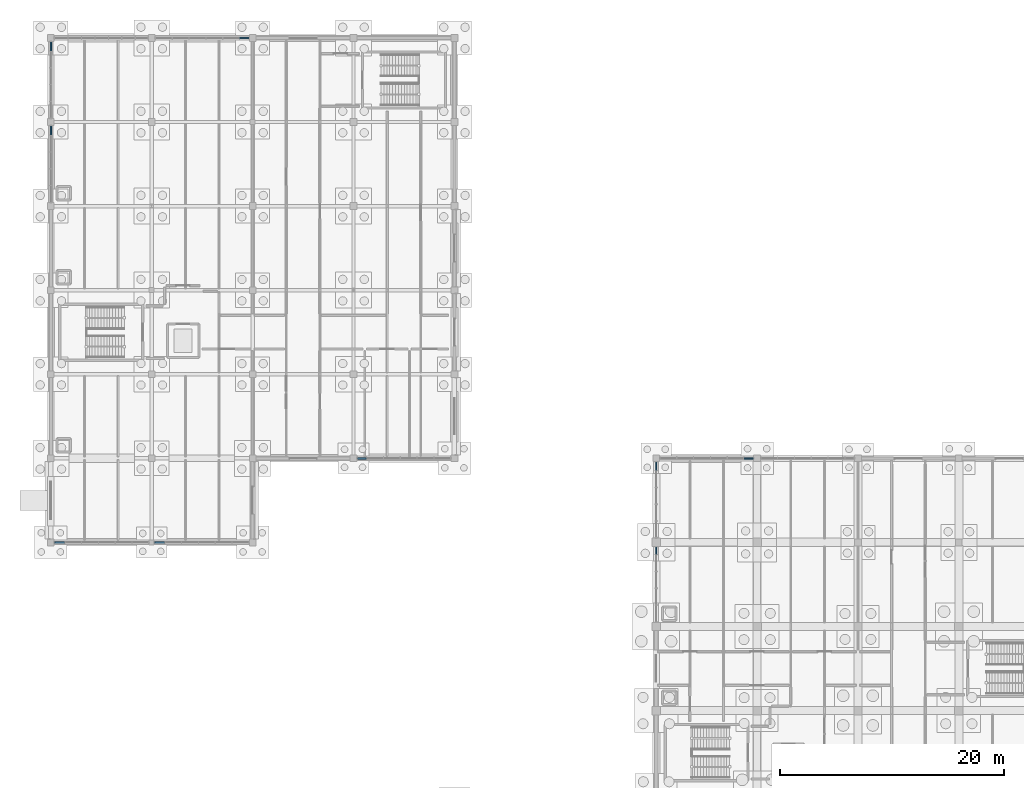
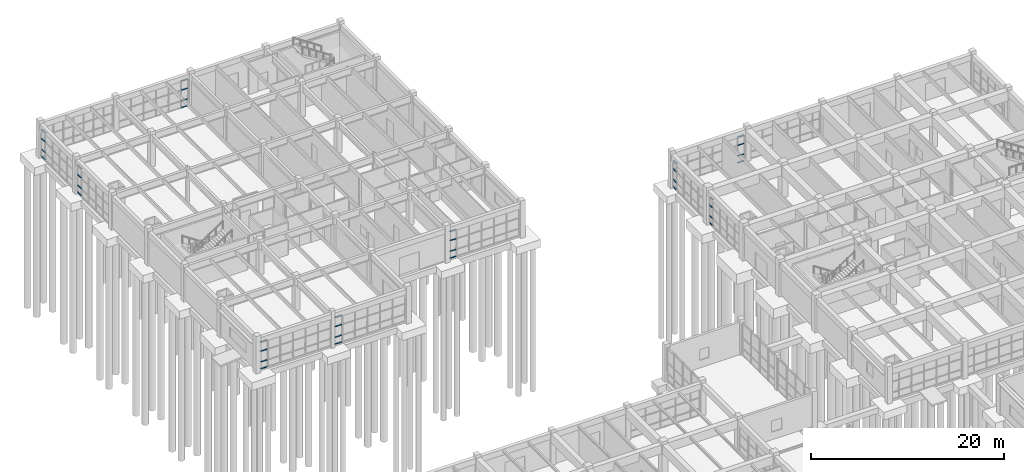
# One storey, part 41 of 93: 36 members, 9 elements without a shape of their own.
"""IFC4 building model written with IfcOpenShell, lengths in metres."""

from ifc_helpers import new_model, si_unit, direction, frame, origin, origin_2d, place, context, subcontext, project, spatial, rectangle, extrude, material, layer, layer_set, material_profile, profile_set, type_object, element, aggregate, save


model = new_model("IFC4")

# Units and contexts
model_context = context("Model", 3, precision=1e-05, world=origin(), true_north=direction((0.0, 1.0)))
body_context = subcontext(model_context, "Body", "Model", "MODEL_VIEW")
ifc_project = project(units=[si_unit("LENGTHUNIT", "METRE"), si_unit("AREAUNIT", "SQUARE_METRE"), si_unit("VOLUMEUNIT", "CUBIC_METRE"), si_unit("PLANEANGLEUNIT", "RADIAN"), si_unit("MASSUNIT", "GRAM", prefix="KILO")], contexts=[model_context])

# Site, building, storey
site_placement = place(None, origin())
site = spatial("IfcSite", under=ifc_project, at=site_placement, CompositionType="ELEMENT")
building_placement = place(site_placement, origin())
building = spatial("IfcBuilding", under=site, at=building_placement, Name="Marnridge Secondary College", CompositionType="ELEMENT")
storey_placement = place(building_placement, origin())
storey = spatial("IfcBuildingStorey", under=building, at=storey_placement, Name="L00", CompositionType="ELEMENT", Elevation=0.0)

# Curtain wall, members
ifc_material_1 = material(Name="Thermally broken aluminium and low-E glazing", Category="aluminium")
ifc_layer = layer(ifc_material_1, 0.159912109375)
ifc_layer_set = layer_set([ifc_layer], Name="CW-MOD-1500")
curtain_wall_type = type_object("IfcCurtainWallType", Name="CW-MOD-1500", PredefinedType="NOTDEFINED", material=ifc_layer_set)
curtain_wall_1_placement = place(storey_placement, origin())
curtain_wall_1 = element("IfcCurtainWall", 1, at=curtain_wall_1_placement, inside=storey, type_object=curtain_wall_type, Name="Unitised curtain wall CW-L00-001", PredefinedType="NOTDEFINED")
ifc_material_2 = material(Name="Anodised aluminium 6063-T6", Category="aluminium")
ifc_material_profile = material_profile(ifc_material_2, rectangle(XDim=0.06005859375, YDim=0.1201171875, at=origin_2d()), Name="ALU 60x120")
ifc_profile_set = profile_set([ifc_material_profile], Name="Anodised aluminium 6063-T6")
member_type = type_object("IfcMemberType", Name="CWT-ALU120", PredefinedType="USERDEFINED", material=ifc_profile_set)
member_1_placement = place(storey_placement, frame((61.864013671875, 82.5, 0.030029296875), z_axis=(1.0, 0.0, 0.0), x_axis=(0.0, 0.0, 1.0)))
member_1 = element("IfcMember", 2, at=member_1_placement, type_object=member_type, Name="CW-L00-001 transom 6.1", ObjectType="TRANSOM", PredefinedType="USERDEFINED", context=body_context, shape_type="SweptSolid", body=[
    extrude(rectangle(XDim=0.06005859375, YDim=0.1201171875, at=origin_2d()), origin(), (0.0, 0.0, 1.0), 0.77197265625),
])
member_2_placement = place(storey_placement, frame((61.864013671875, 82.5, 0.89990234375), z_axis=(1.0, 0.0, 0.0), x_axis=(0.0, 0.0, 1.0)))
member_2 = element("IfcMember", 3, at=member_2_placement, type_object=member_type, Name="CW-L00-001 transom 6.2", ObjectType="TRANSOM", PredefinedType="USERDEFINED", context=body_context, shape_type="SweptSolid", body=[
    extrude(rectangle(XDim=0.06005859375, YDim=0.1201171875, at=origin_2d()), origin(), (0.0, 0.0, 1.0), 0.77197265625),
])
member_3_placement = place(storey_placement, frame((61.864013671875, 82.5, 2.25), z_axis=(1.0, 0.0, 0.0), x_axis=(0.0, 0.0, 1.0)))
member_3 = element("IfcMember", 4, at=member_3_placement, type_object=member_type, Name="CW-L00-001 transom 6.3", ObjectType="TRANSOM", PredefinedType="USERDEFINED", context=body_context, shape_type="SweptSolid", body=[
    extrude(rectangle(XDim=0.06005859375, YDim=0.1201171875, at=origin_2d()), origin(), (0.0, 0.0, 1.0), 0.77197265625),
])
member_4_placement = place(storey_placement, frame((61.864013671875, 82.5, 3.2919921875), z_axis=(1.0, 0.0, 0.0), x_axis=(0.0, 0.0, 1.0)))
member_4 = element("IfcMember", 5, at=member_4_placement, type_object=member_type, Name="CW-L00-001 transom 6.4", ObjectType="TRANSOM", PredefinedType="USERDEFINED", context=body_context, shape_type="SweptSolid", body=[
    extrude(rectangle(XDim=0.06005859375, YDim=0.1201171875, at=origin_2d()), origin(), (0.0, 0.0, 1.0), 0.77197265625),
])
aggregate(curtain_wall_1, [member_1, member_2, member_3, member_4])

curtain_wall_2_placement = place(storey_placement, origin())
curtain_wall_2 = element("IfcCurtainWall", 6, at=curtain_wall_2_placement, inside=storey, type_object=curtain_wall_type, Name="Unitised curtain wall CW-L00-007", PredefinedType="NOTDEFINED")
member_5_placement = place(storey_placement, frame((54.0, 73.93896484375, 0.030029296875), z_axis=(0.0, 1.0, 0.0), x_axis=(0.0, 0.0, 1.0)))
member_5 = element("IfcMember", 7, at=member_5_placement, type_object=member_type, Name="CW-L00-007 transom 5.1", ObjectType="TRANSOM", PredefinedType="USERDEFINED", context=body_context, shape_type="SweptSolid", body=[
    extrude(rectangle(XDim=0.06005859375, YDim=0.1201171875, at=origin_2d()), origin(), (0.0, 0.0, 1.0), 0.6220703125),
])
member_6_placement = place(storey_placement, frame((54.0, 73.93896484375, 0.89990234375), z_axis=(0.0, 1.0, 0.0), x_axis=(0.0, 0.0, 1.0)))
member_6 = element("IfcMember", 8, at=member_6_placement, type_object=member_type, Name="CW-L00-007 transom 5.2", ObjectType="TRANSOM", PredefinedType="USERDEFINED", context=body_context, shape_type="SweptSolid", body=[
    extrude(rectangle(XDim=0.06005859375, YDim=0.1201171875, at=origin_2d()), origin(), (0.0, 0.0, 1.0), 0.6220703125),
])
member_7_placement = place(storey_placement, frame((54.0, 73.93896484375, 2.25), z_axis=(0.0, 1.0, 0.0), x_axis=(0.0, 0.0, 1.0)))
member_7 = element("IfcMember", 9, at=member_7_placement, type_object=member_type, Name="CW-L00-007 transom 5.3", ObjectType="TRANSOM", PredefinedType="USERDEFINED", context=body_context, shape_type="SweptSolid", body=[
    extrude(rectangle(XDim=0.06005859375, YDim=0.1201171875, at=origin_2d()), origin(), (0.0, 0.0, 1.0), 0.6220703125),
])
member_8_placement = place(storey_placement, frame((54.0, 73.93896484375, 3.2919921875), z_axis=(0.0, 1.0, 0.0), x_axis=(0.0, 0.0, 1.0)))
member_8 = element("IfcMember", 10, at=member_8_placement, type_object=member_type, Name="CW-L00-007 transom 5.4", ObjectType="TRANSOM", PredefinedType="USERDEFINED", context=body_context, shape_type="SweptSolid", body=[
    extrude(rectangle(XDim=0.06005859375, YDim=0.1201171875, at=origin_2d()), origin(), (0.0, 0.0, 1.0), 0.6220703125),
])
aggregate(curtain_wall_2, [member_5, member_6, member_7, member_8])

curtain_wall_3_placement = place(storey_placement, origin())
curtain_wall_3 = element("IfcCurtainWall", 11, at=curtain_wall_3_placement, inside=storey, type_object=curtain_wall_type, Name="Unitised curtain wall CW-L00-008", PredefinedType="NOTDEFINED")
member_9_placement = place(storey_placement, frame((54.0, 81.43896484375, 0.030029296875), z_axis=(0.0, 1.0, 0.0), x_axis=(0.0, 0.0, 1.0)))
member_9 = element("IfcMember", 12, at=member_9_placement, type_object=member_type, Name="CW-L00-008 transom 5.1", ObjectType="TRANSOM", PredefinedType="USERDEFINED", context=body_context, shape_type="SweptSolid", body=[
    extrude(rectangle(XDim=0.06005859375, YDim=0.1201171875, at=origin_2d()), origin(), (0.0, 0.0, 1.0), 0.697021484375),
])
member_10_placement = place(storey_placement, frame((54.0, 81.43896484375, 0.89990234375), z_axis=(0.0, 1.0, 0.0), x_axis=(0.0, 0.0, 1.0)))
member_10 = element("IfcMember", 13, at=member_10_placement, type_object=member_type, Name="CW-L00-008 transom 5.2", ObjectType="TRANSOM", PredefinedType="USERDEFINED", context=body_context, shape_type="SweptSolid", body=[
    extrude(rectangle(XDim=0.06005859375, YDim=0.1201171875, at=origin_2d()), origin(), (0.0, 0.0, 1.0), 0.697021484375),
])
member_11_placement = place(storey_placement, frame((54.0, 81.43896484375, 2.25), z_axis=(0.0, 1.0, 0.0), x_axis=(0.0, 0.0, 1.0)))
member_11 = element("IfcMember", 14, at=member_11_placement, type_object=member_type, Name="CW-L00-008 transom 5.3", ObjectType="TRANSOM", PredefinedType="USERDEFINED", context=body_context, shape_type="SweptSolid", body=[
    extrude(rectangle(XDim=0.06005859375, YDim=0.1201171875, at=origin_2d()), origin(), (0.0, 0.0, 1.0), 0.697021484375),
])
member_12_placement = place(storey_placement, frame((54.0, 81.43896484375, 3.2919921875), z_axis=(0.0, 1.0, 0.0), x_axis=(0.0, 0.0, 1.0)))
member_12 = element("IfcMember", 15, at=member_12_placement, type_object=member_type, Name="CW-L00-008 transom 5.4", ObjectType="TRANSOM", PredefinedType="USERDEFINED", context=body_context, shape_type="SweptSolid", body=[
    extrude(rectangle(XDim=0.06005859375, YDim=0.1201171875, at=origin_2d()), origin(), (0.0, 0.0, 1.0), 0.697021484375),
])
aggregate(curtain_wall_3, [member_9, member_10, member_11, member_12])

curtain_wall_4_placement = place(storey_placement, origin())
curtain_wall_4 = element("IfcCurtainWall", 16, at=curtain_wall_4_placement, inside=storey, type_object=curtain_wall_type, Name="Unitised curtain wall CW-L00-013", PredefinedType="NOTDEFINED")
member_13_placement = place(storey_placement, frame((16.864013671875, 120.0, 0.030029296875), z_axis=(1.0, 0.0, 0.0), x_axis=(0.0, 0.0, 1.0)))
member_13 = element("IfcMember", 17, at=member_13_placement, type_object=member_type, Name="CW-L00-013 transom 6.1", ObjectType="TRANSOM", PredefinedType="USERDEFINED", context=body_context, shape_type="SweptSolid", body=[
    extrude(rectangle(XDim=0.06005859375, YDim=0.1201171875, at=origin_2d()), origin(), (0.0, 0.0, 1.0), 0.77197265625),
])
member_14_placement = place(storey_placement, frame((16.864013671875, 120.0, 0.89990234375), z_axis=(1.0, 0.0, 0.0), x_axis=(0.0, 0.0, 1.0)))
member_14 = element("IfcMember", 18, at=member_14_placement, type_object=member_type, Name="CW-L00-013 transom 6.2", ObjectType="TRANSOM", PredefinedType="USERDEFINED", context=body_context, shape_type="SweptSolid", body=[
    extrude(rectangle(XDim=0.06005859375, YDim=0.1201171875, at=origin_2d()), origin(), (0.0, 0.0, 1.0), 0.77197265625),
])
member_15_placement = place(storey_placement, frame((16.864013671875, 120.0, 2.25), z_axis=(1.0, 0.0, 0.0), x_axis=(0.0, 0.0, 1.0)))
member_15 = element("IfcMember", 19, at=member_15_placement, type_object=member_type, Name="CW-L00-013 transom 6.3", ObjectType="TRANSOM", PredefinedType="USERDEFINED", context=body_context, shape_type="SweptSolid", body=[
    extrude(rectangle(XDim=0.06005859375, YDim=0.1201171875, at=origin_2d()), origin(), (0.0, 0.0, 1.0), 0.77197265625),
])
member_16_placement = place(storey_placement, frame((16.864013671875, 120.0, 3.412109375), z_axis=(1.0, 0.0, 0.0), x_axis=(0.0, 0.0, 1.0)))
member_16 = element("IfcMember", 20, at=member_16_placement, type_object=member_type, Name="CW-L00-013 transom 6.4", ObjectType="TRANSOM", PredefinedType="USERDEFINED", context=body_context, shape_type="SweptSolid", body=[
    extrude(rectangle(XDim=0.06005859375, YDim=0.1201171875, at=origin_2d()), origin(), (0.0, 0.0, 1.0), 0.77197265625),
])
aggregate(curtain_wall_4, [member_13, member_14, member_15, member_16])

curtain_wall_5_placement = place(storey_placement, origin())
curtain_wall_5 = element("IfcCurtainWall", 21, at=curtain_wall_5_placement, inside=storey, type_object=curtain_wall_type, Name="Unitised curtain wall CW-L00-014", PredefinedType="NOTDEFINED")
member_17_placement = place(storey_placement, frame((28.135986328125, 82.5, 0.030029296875), z_axis=(-1.0, 0.0, 0.0), x_axis=(0.0, 0.0, 1.0)))
member_17 = element("IfcMember", 22, at=member_17_placement, type_object=member_type, Name="CW-L00-014 transom 6.1", ObjectType="TRANSOM", PredefinedType="USERDEFINED", context=body_context, shape_type="SweptSolid", body=[
    extrude(rectangle(XDim=0.06005859375, YDim=0.1201171875, at=origin_2d()), origin(), (0.0, 0.0, 1.0), 0.77197265625),
])
member_18_placement = place(storey_placement, frame((28.135986328125, 82.5, 0.89990234375), z_axis=(-1.0, 0.0, 0.0), x_axis=(0.0, 0.0, 1.0)))
member_18 = element("IfcMember", 23, at=member_18_placement, type_object=member_type, Name="CW-L00-014 transom 6.2", ObjectType="TRANSOM", PredefinedType="USERDEFINED", context=body_context, shape_type="SweptSolid", body=[
    extrude(rectangle(XDim=0.06005859375, YDim=0.1201171875, at=origin_2d()), origin(), (0.0, 0.0, 1.0), 0.77197265625),
])
member_19_placement = place(storey_placement, frame((28.135986328125, 82.5, 2.25), z_axis=(-1.0, 0.0, 0.0), x_axis=(0.0, 0.0, 1.0)))
member_19 = element("IfcMember", 24, at=member_19_placement, type_object=member_type, Name="CW-L00-014 transom 6.3", ObjectType="TRANSOM", PredefinedType="USERDEFINED", context=body_context, shape_type="SweptSolid", body=[
    extrude(rectangle(XDim=0.06005859375, YDim=0.1201171875, at=origin_2d()), origin(), (0.0, 0.0, 1.0), 0.77197265625),
])
member_20_placement = place(storey_placement, frame((28.135986328125, 82.5, 3.412109375), z_axis=(-1.0, 0.0, 0.0), x_axis=(0.0, 0.0, 1.0)))
member_20 = element("IfcMember", 25, at=member_20_placement, type_object=member_type, Name="CW-L00-014 transom 6.4", ObjectType="TRANSOM", PredefinedType="USERDEFINED", context=body_context, shape_type="SweptSolid", body=[
    extrude(rectangle(XDim=0.06005859375, YDim=0.1201171875, at=origin_2d()), origin(), (0.0, 0.0, 1.0), 0.77197265625),
])
aggregate(curtain_wall_5, [member_17, member_18, member_19, member_20])

curtain_wall_6_placement = place(storey_placement, origin())
curtain_wall_6 = element("IfcCurtainWall", 26, at=curtain_wall_6_placement, inside=storey, type_object=curtain_wall_type, Name="Unitised curtain wall CW-L00-015", PredefinedType="NOTDEFINED")
member_21_placement = place(storey_placement, frame((10.135986328125, 75.0, 0.030029296875), z_axis=(-1.0, 0.0, 0.0), x_axis=(0.0, 0.0, 1.0)))
member_21 = element("IfcMember", 27, at=member_21_placement, type_object=member_type, Name="CW-L00-015 transom 6.1", ObjectType="TRANSOM", PredefinedType="USERDEFINED", context=body_context, shape_type="SweptSolid", body=[
    extrude(rectangle(XDim=0.06005859375, YDim=0.1201171875, at=origin_2d()), origin(), (0.0, 0.0, 1.0), 0.846923828125),
])
member_22_placement = place(storey_placement, frame((10.135986328125, 75.0, 0.89990234375), z_axis=(-1.0, 0.0, 0.0), x_axis=(0.0, 0.0, 1.0)))
member_22 = element("IfcMember", 28, at=member_22_placement, type_object=member_type, Name="CW-L00-015 transom 6.2", ObjectType="TRANSOM", PredefinedType="USERDEFINED", context=body_context, shape_type="SweptSolid", body=[
    extrude(rectangle(XDim=0.06005859375, YDim=0.1201171875, at=origin_2d()), origin(), (0.0, 0.0, 1.0), 0.846923828125),
])
member_23_placement = place(storey_placement, frame((10.135986328125, 75.0, 2.25), z_axis=(-1.0, 0.0, 0.0), x_axis=(0.0, 0.0, 1.0)))
member_23 = element("IfcMember", 29, at=member_23_placement, type_object=member_type, Name="CW-L00-015 transom 6.3", ObjectType="TRANSOM", PredefinedType="USERDEFINED", context=body_context, shape_type="SweptSolid", body=[
    extrude(rectangle(XDim=0.06005859375, YDim=0.1201171875, at=origin_2d()), origin(), (0.0, 0.0, 1.0), 0.846923828125),
])
member_24_placement = place(storey_placement, frame((10.135986328125, 75.0, 3.412109375), z_axis=(-1.0, 0.0, 0.0), x_axis=(0.0, 0.0, 1.0)))
member_24 = element("IfcMember", 30, at=member_24_placement, type_object=member_type, Name="CW-L00-015 transom 6.4", ObjectType="TRANSOM", PredefinedType="USERDEFINED", context=body_context, shape_type="SweptSolid", body=[
    extrude(rectangle(XDim=0.06005859375, YDim=0.1201171875, at=origin_2d()), origin(), (0.0, 0.0, 1.0), 0.846923828125),
])
aggregate(curtain_wall_6, [member_21, member_22, member_23, member_24])

curtain_wall_7_placement = place(storey_placement, origin())
curtain_wall_7 = element("IfcCurtainWall", 31, at=curtain_wall_7_placement, inside=storey, type_object=curtain_wall_type, Name="Unitised curtain wall CW-L00-016", PredefinedType="NOTDEFINED")
member_25_placement = place(storey_placement, frame((1.2109375, 75.0, 0.030029296875), z_axis=(-1.0, 0.0, 0.0), x_axis=(0.0, 0.0, 1.0)))
member_25 = element("IfcMember", 32, at=member_25_placement, type_object=member_type, Name="CW-L00-016 transom 6.1", ObjectType="TRANSOM", PredefinedType="USERDEFINED", context=body_context, shape_type="SweptSolid", body=[
    extrude(rectangle(XDim=0.06005859375, YDim=0.1201171875, at=origin_2d()), origin(), (0.0, 0.0, 1.0), 0.846923828125),
])
member_26_placement = place(storey_placement, frame((1.2109375, 75.0, 0.89990234375), z_axis=(-1.0, 0.0, 0.0), x_axis=(0.0, 0.0, 1.0)))
member_26 = element("IfcMember", 33, at=member_26_placement, type_object=member_type, Name="CW-L00-016 transom 6.2", ObjectType="TRANSOM", PredefinedType="USERDEFINED", context=body_context, shape_type="SweptSolid", body=[
    extrude(rectangle(XDim=0.06005859375, YDim=0.1201171875, at=origin_2d()), origin(), (0.0, 0.0, 1.0), 0.846923828125),
])
member_27_placement = place(storey_placement, frame((1.2109375, 75.0, 2.25), z_axis=(-1.0, 0.0, 0.0), x_axis=(0.0, 0.0, 1.0)))
member_27 = element("IfcMember", 34, at=member_27_placement, type_object=member_type, Name="CW-L00-016 transom 6.3", ObjectType="TRANSOM", PredefinedType="USERDEFINED", context=body_context, shape_type="SweptSolid", body=[
    extrude(rectangle(XDim=0.06005859375, YDim=0.1201171875, at=origin_2d()), origin(), (0.0, 0.0, 1.0), 0.846923828125),
])
member_28_placement = place(storey_placement, frame((1.2109375, 75.0, 3.412109375), z_axis=(-1.0, 0.0, 0.0), x_axis=(0.0, 0.0, 1.0)))
member_28 = element("IfcMember", 35, at=member_28_placement, type_object=member_type, Name="CW-L00-016 transom 6.4", ObjectType="TRANSOM", PredefinedType="USERDEFINED", context=body_context, shape_type="SweptSolid", body=[
    extrude(rectangle(XDim=0.06005859375, YDim=0.1201171875, at=origin_2d()), origin(), (0.0, 0.0, 1.0), 0.846923828125),
])
aggregate(curtain_wall_7, [member_25, member_26, member_27, member_28])

curtain_wall_8_placement = place(storey_placement, origin())
curtain_wall_8 = element("IfcCurtainWall", 36, at=curtain_wall_8_placement, inside=storey, type_object=curtain_wall_type, Name="Unitised curtain wall CW-L00-017", PredefinedType="NOTDEFINED")
member_29_placement = place(storey_placement, frame((0.0, 111.364013671875, 0.030029296875), z_axis=(0.0, 1.0, 0.0), x_axis=(0.0, 0.0, 1.0)))
member_29 = element("IfcMember", 37, at=member_29_placement, type_object=member_type, Name="CW-L00-017 transom 5.1", ObjectType="TRANSOM", PredefinedType="USERDEFINED", context=body_context, shape_type="SweptSolid", body=[
    extrude(rectangle(XDim=0.06005859375, YDim=0.1201171875, at=origin_2d()), origin(), (0.0, 0.0, 1.0), 0.77197265625),
])
member_30_placement = place(storey_placement, frame((0.0, 111.364013671875, 0.89990234375), z_axis=(0.0, 1.0, 0.0), x_axis=(0.0, 0.0, 1.0)))
member_30 = element("IfcMember", 38, at=member_30_placement, type_object=member_type, Name="CW-L00-017 transom 5.2", ObjectType="TRANSOM", PredefinedType="USERDEFINED", context=body_context, shape_type="SweptSolid", body=[
    extrude(rectangle(XDim=0.06005859375, YDim=0.1201171875, at=origin_2d()), origin(), (0.0, 0.0, 1.0), 0.77197265625),
])
member_31_placement = place(storey_placement, frame((0.0, 111.364013671875, 2.25), z_axis=(0.0, 1.0, 0.0), x_axis=(0.0, 0.0, 1.0)))
member_31 = element("IfcMember", 39, at=member_31_placement, type_object=member_type, Name="CW-L00-017 transom 5.3", ObjectType="TRANSOM", PredefinedType="USERDEFINED", context=body_context, shape_type="SweptSolid", body=[
    extrude(rectangle(XDim=0.06005859375, YDim=0.1201171875, at=origin_2d()), origin(), (0.0, 0.0, 1.0), 0.77197265625),
])
member_32_placement = place(storey_placement, frame((0.0, 111.364013671875, 3.412109375), z_axis=(0.0, 1.0, 0.0), x_axis=(0.0, 0.0, 1.0)))
member_32 = element("IfcMember", 40, at=member_32_placement, type_object=member_type, Name="CW-L00-017 transom 5.4", ObjectType="TRANSOM", PredefinedType="USERDEFINED", context=body_context, shape_type="SweptSolid", body=[
    extrude(rectangle(XDim=0.06005859375, YDim=0.1201171875, at=origin_2d()), origin(), (0.0, 0.0, 1.0), 0.77197265625),
])
aggregate(curtain_wall_8, [member_29, member_30, member_31, member_32])

curtain_wall_9_placement = place(storey_placement, origin())
curtain_wall_9 = element("IfcCurtainWall", 41, at=curtain_wall_9_placement, inside=storey, type_object=curtain_wall_type, Name="Unitised curtain wall CW-L00-018", PredefinedType="NOTDEFINED")
member_33_placement = place(storey_placement, frame((0.0, 118.864013671875, 0.030029296875), z_axis=(0.0, 1.0, 0.0), x_axis=(0.0, 0.0, 1.0)))
member_33 = element("IfcMember", 42, at=member_33_placement, type_object=member_type, Name="CW-L00-018 transom 5.1", ObjectType="TRANSOM", PredefinedType="USERDEFINED", context=body_context, shape_type="SweptSolid", body=[
    extrude(rectangle(XDim=0.06005859375, YDim=0.1201171875, at=origin_2d()), origin(), (0.0, 0.0, 1.0), 0.77197265625),
])
member_34_placement = place(storey_placement, frame((0.0, 118.864013671875, 0.89990234375), z_axis=(0.0, 1.0, 0.0), x_axis=(0.0, 0.0, 1.0)))
member_34 = element("IfcMember", 43, at=member_34_placement, type_object=member_type, Name="CW-L00-018 transom 5.2", ObjectType="TRANSOM", PredefinedType="USERDEFINED", context=body_context, shape_type="SweptSolid", body=[
    extrude(rectangle(XDim=0.06005859375, YDim=0.1201171875, at=origin_2d()), origin(), (0.0, 0.0, 1.0), 0.77197265625),
])
member_35_placement = place(storey_placement, frame((0.0, 118.864013671875, 2.25), z_axis=(0.0, 1.0, 0.0), x_axis=(0.0, 0.0, 1.0)))
member_35 = element("IfcMember", 44, at=member_35_placement, type_object=member_type, Name="CW-L00-018 transom 5.3", ObjectType="TRANSOM", PredefinedType="USERDEFINED", context=body_context, shape_type="SweptSolid", body=[
    extrude(rectangle(XDim=0.06005859375, YDim=0.1201171875, at=origin_2d()), origin(), (0.0, 0.0, 1.0), 0.77197265625),
])
member_36_placement = place(storey_placement, frame((0.0, 118.864013671875, 3.412109375), z_axis=(0.0, 1.0, 0.0), x_axis=(0.0, 0.0, 1.0)))
member_36 = element("IfcMember", 45, at=member_36_placement, type_object=member_type, Name="CW-L00-018 transom 5.4", ObjectType="TRANSOM", PredefinedType="USERDEFINED", context=body_context, shape_type="SweptSolid", body=[
    extrude(rectangle(XDim=0.06005859375, YDim=0.1201171875, at=origin_2d()), origin(), (0.0, 0.0, 1.0), 0.77197265625),
])
aggregate(curtain_wall_9, [member_33, member_34, member_35, member_36])

save(model, "model.ifc")
